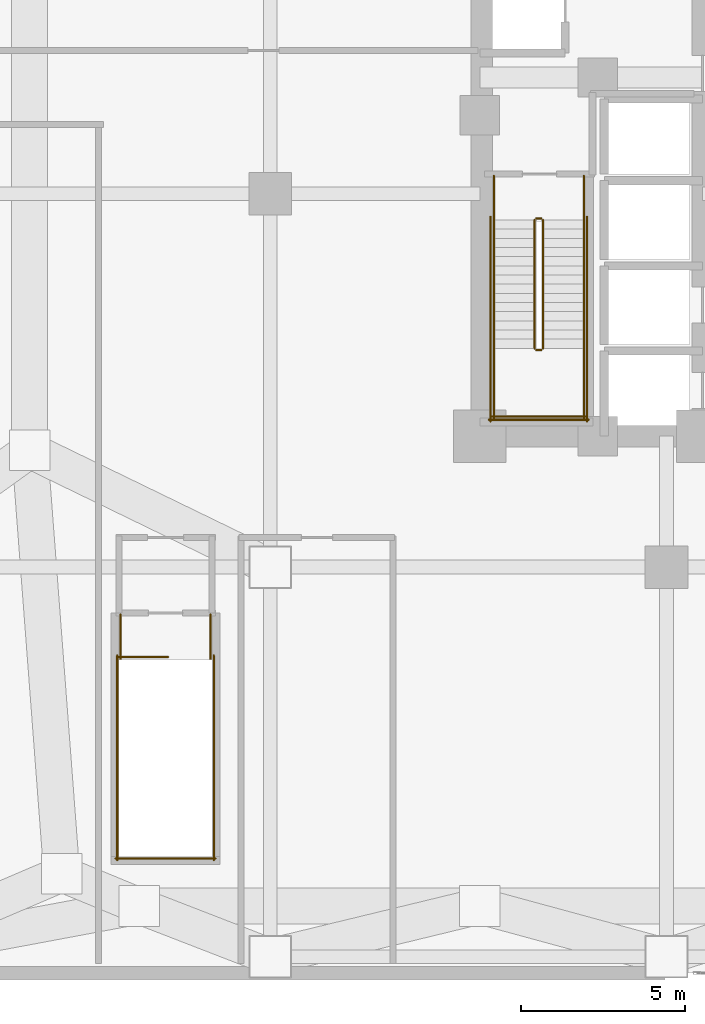
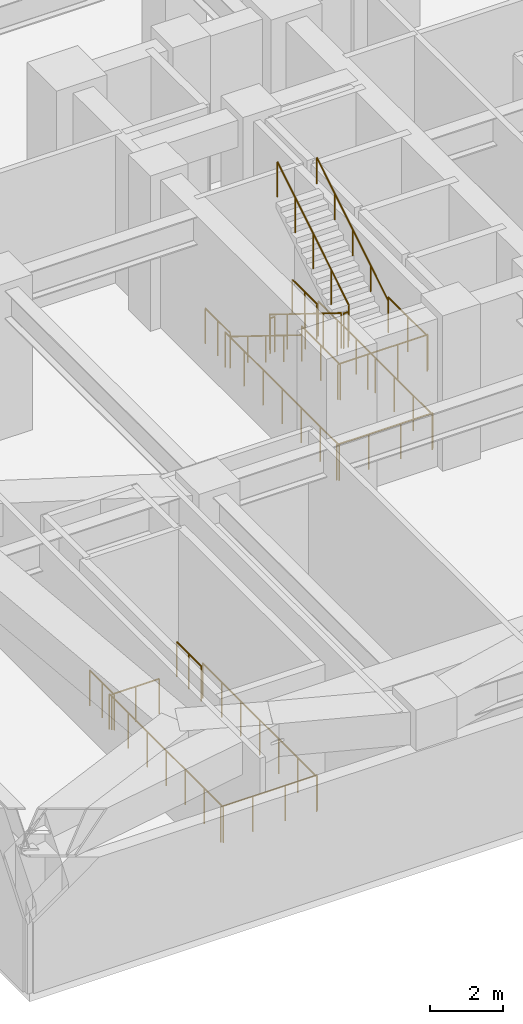
# One storey, part 19 of 20: 20 railings.
"""IFC4 building model written with IfcOpenShell, lengths in metres."""

from ifc_helpers import new_model, si_unit, direction, frame, origin, origin_2d, place, context, subcontext, project, spatial, circle, extrude, material, type_object, element, save


model = new_model("IFC4")

# Units and contexts
model_context = context("Model", 3, precision=1e-05, world=origin(), true_north=direction((0.0, 1.0)))
body_context = subcontext(model_context, "Body", "Model", "MODEL_VIEW")
ifc_project = project(units=[si_unit("LENGTHUNIT", "METRE"), si_unit("AREAUNIT", "SQUARE_METRE"), si_unit("VOLUMEUNIT", "CUBIC_METRE"), si_unit("PLANEANGLEUNIT", "RADIAN"), si_unit("MASSUNIT", "GRAM", prefix="KILO")], contexts=[model_context])

# Site, building, storey
site_placement = place(None, origin())
site = spatial("IfcSite", under=ifc_project, at=site_placement, CompositionType="ELEMENT")
building_placement = place(site_placement, origin())
building = spatial("IfcBuilding", under=site, at=building_placement, Name="Voryun Gate Residences", CompositionType="ELEMENT")
storey_placement = place(building_placement, frame((0.0, 0.0, 20.800048828125)))
storey = spatial("IfcBuildingStorey", under=building, at=storey_placement, Name="L04", CompositionType="ELEMENT", Elevation=20.800048828125)

# Railings
ifc_material_1 = material(Name="Painted steel", Category="steel")
railing_type_1 = type_object("IfcRailingType", Name="RAIL_STAIR_GUARD_1200", PredefinedType="GUARDRAIL", material=ifc_material_1)
railing_1_placement = place(storey_placement, frame((-17.52490234375, -0.800048828125, 0.17333984375)))
element("IfcRailing", 1, at=railing_1_placement, inside=storey, type_object=railing_type_1, Name="L04 ST-W1 stair guard 1", PredefinedType="GUARDRAIL", context=body_context, shape_type="SweptSolid", body=[
    extrude(circle(Radius=0.02392578125, at=origin_2d()), frame((0.0, 0.0, 1.17578125), z_axis=(0.0, -0.850275303828, 0.526338206574), x_axis=(1.0, 0.0, 0.0)), (0.0, 0.0, 1.0), 4.610107421875),
    extrude(circle(Radius=0.02099609375, at=origin_2d()), origin(), (0.0, 0.0, 1.0), 1.15185546875),
    extrude(circle(Radius=0.02099609375, at=origin_2d()), frame((0.0, -0.97998046875, 0.606689453125)), (0.0, 0.0, 1.0), 1.15185546875),
    extrude(circle(Radius=0.02099609375, at=origin_2d()), frame((0.0, -1.9599609375, 1.21337890625)), (0.0, 0.0, 1.0), 1.15185546875),
    extrude(circle(Radius=0.02099609375, at=origin_2d()), frame((0.0, -2.93994140625, 1.81982421875)), (0.0, 0.0, 1.0), 1.15185546875),
    extrude(circle(Radius=0.02099609375, at=origin_2d()), frame((0.0, -3.919921875, 2.426513671875)), (0.0, 0.0, 1.0), 1.15185546875),
])
railing_2_placement = place(storey_placement, frame((-17.47509765625, -4.77001953125, 2.599853515625)))
element("IfcRailing", 2, at=railing_2_placement, inside=storey, type_object=railing_type_1, Name="L04 ST-W1 stair guard 2", PredefinedType="GUARDRAIL", context=body_context, shape_type="SweptSolid", body=[
    extrude(circle(Radius=0.02392578125, at=origin_2d()), frame((0.0, 0.0, 1.17578125), z_axis=(1.0, 0.0, 0.0), x_axis=(0.0, 1.0, 0.0)), (0.0, 0.0, 1.0), 0.150146484375),
    extrude(circle(Radius=0.02099609375, at=origin_2d()), origin(), (0.0, 0.0, 1.0), 1.15185546875),
    extrude(circle(Radius=0.02099609375, at=origin_2d()), frame((0.150146484375, 0.0, 0.0)), (0.0, 0.0, 1.0), 1.15185546875),
])
for number, where, name in (
    (3, (-18.77490234375, -4.719970703125, 2.599853515625), "L04 ST-W1 stair guard 3"),
    (4, (-16.02490234375, -4.719970703125, 2.599853515625), "L04 ST-W1 stair guard 4"),
):
    element("IfcRailing", number, at=place(storey_placement, frame(where)), inside=storey, type_object=railing_type_1, Name=name, PredefinedType="GUARDRAIL", context=body_context, shape_type="SweptSolid", body=[
        extrude(circle(Radius=0.02392578125, at=origin_2d()), frame((0.0, 0.0, 1.17578125), z_axis=(0.0, -1.0, 0.0), x_axis=(1.0, 0.0, 0.0)), (0.0, 0.0, 1.0), 2.130126953125),
        extrude(circle(Radius=0.02099609375, at=origin_2d()), origin(), (0.0, 0.0, 1.0), 1.15185546875),
        extrude(circle(Radius=0.02099609375, at=origin_2d()), frame((0.0, -1.06494140625, 0.0)), (0.0, 0.0, 1.0), 1.15185546875),
        extrude(circle(Radius=0.02099609375, at=origin_2d()), frame((0.0, -2.130126953125, 0.0)), (0.0, 0.0, 1.0), 1.15185546875),
    ])
railing_3_placement = place(storey_placement, frame((-18.824951171875, -6.800048828125, 2.599853515625)))
element("IfcRailing", 5, at=railing_3_placement, inside=storey, type_object=railing_type_1, Name="L04 ST-W1 stair guard 5", PredefinedType="GUARDRAIL", context=body_context, shape_type="SweptSolid", body=[
    extrude(circle(Radius=0.02392578125, at=origin_2d()), frame((0.0, 0.0, 1.17578125), z_axis=(1.0, 0.0, 0.0), x_axis=(0.0, 1.0, 0.0)), (0.0, 0.0, 1.0), 2.849853515625),
    extrude(circle(Radius=0.02099609375, at=origin_2d()), origin(), (0.0, 0.0, 1.0), 1.15185546875),
    extrude(circle(Radius=0.02099609375, at=origin_2d()), frame((0.949951171875, 0.0, 0.0)), (0.0, 0.0, 1.0), 1.15185546875),
    extrude(circle(Radius=0.02099609375, at=origin_2d()), frame((1.89990234375, 0.0, 0.0)), (0.0, 0.0, 1.0), 1.15185546875),
    extrude(circle(Radius=0.02099609375, at=origin_2d()), frame((2.849853515625, 0.0, 0.0)), (0.0, 0.0, 1.0), 1.15185546875),
])
railing_4_placement = place(storey_placement, frame((-17.27490234375, -4.719970703125, 2.773193359375)))
element("IfcRailing", 6, at=railing_4_placement, inside=storey, type_object=railing_type_1, Name="L04 ST-W1 stair guard 6", PredefinedType="GUARDRAIL", context=body_context, shape_type="SweptSolid", body=[
    extrude(circle(Radius=0.02392578125, at=origin_2d()), frame((0.0, 0.0, 1.17578125), z_axis=(0.0, 0.850251603719, 0.526376491091), x_axis=(-1.0, 0.0, 0.0)), (0.0, 0.0, 1.0), 4.6103515625),
    extrude(circle(Radius=0.02099609375, at=origin_2d()), origin(), (0.0, 0.0, 1.0), 1.15185546875),
    extrude(circle(Radius=0.02099609375, at=origin_2d()), frame((0.0, 0.97998046875, 0.606689453125)), (0.0, 0.0, 1.0), 1.15185546875),
    extrude(circle(Radius=0.02099609375, at=origin_2d()), frame((0.0, 1.9599609375, 1.21337890625)), (0.0, 0.0, 1.0), 1.15185546875),
    extrude(circle(Radius=0.02099609375, at=origin_2d()), frame((0.0, 2.93994140625, 1.820068359375)), (0.0, 0.0, 1.0), 1.15185546875),
    extrude(circle(Radius=0.02099609375, at=origin_2d()), frame((0.0, 3.919921875, 2.4267578125)), (0.0, 0.0, 1.0), 1.15185546875),
])
railing_5_placement = place(storey_placement, frame((-17.47509765625, -0.75, 0.0)))
element("IfcRailing", 7, at=railing_5_placement, inside=storey, type_object=railing_type_1, Name="L04 ST-W1 stair guard 7", PredefinedType="GUARDRAIL", context=body_context, shape_type="SweptSolid", body=[
    extrude(circle(Radius=0.02392578125, at=origin_2d()), frame((0.0, 0.0, 1.17578125), z_axis=(1.0, 0.0, 0.0), x_axis=(0.0, 1.0, 0.0)), (0.0, 0.0, 1.0), 0.150146484375),
    extrude(circle(Radius=0.02099609375, at=origin_2d()), origin(), (0.0, 0.0, 1.0), 1.15185546875),
    extrude(circle(Radius=0.02099609375, at=origin_2d()), frame((0.150146484375, 0.0, 0.0)), (0.0, 0.0, 1.0), 1.15185546875),
])
for number, where, name in (
    (8, (-18.77490234375, 0.550048828125, 0.0), "L04 ST-W1 stair guard 8"),
    (9, (-16.02490234375, 0.550048828125, 0.0), "L04 ST-W1 stair guard 9"),
):
    element("IfcRailing", number, at=place(storey_placement, frame(where)), inside=storey, type_object=railing_type_1, Name=name, PredefinedType="GUARDRAIL", context=body_context, shape_type="SweptSolid", body=[
        extrude(circle(Radius=0.02392578125, at=origin_2d()), frame((0.0, 0.0, 1.17578125), z_axis=(0.0, -1.0, 0.0), x_axis=(1.0, 0.0, 0.0)), (0.0, 0.0, 1.0), 1.35009765625),
        extrude(circle(Radius=0.02099609375, at=origin_2d()), origin(), (0.0, 0.0, 1.0), 1.15185546875),
        extrude(circle(Radius=0.02099609375, at=origin_2d()), frame((0.0, -0.675048828125, 0.0)), (0.0, 0.0, 1.0), 1.15185546875),
        extrude(circle(Radius=0.02099609375, at=origin_2d()), frame((0.0, -1.35009765625, 0.0)), (0.0, 0.0, 1.0), 1.15185546875),
    ])
for number, where, name in (
    (10, (-18.875, -0.699951171875, 0.0), "L04 ST-W1 stair guard 10"),
    (11, (-15.925048828125, -0.699951171875, 0.0), "L04 ST-W1 stair guard 11"),
):
    element("IfcRailing", number, at=place(storey_placement, frame(where)), inside=storey, type_object=railing_type_1, Name=name, PredefinedType="GUARDRAIL", context=body_context, shape_type="SweptSolid", body=[
        extrude(circle(Radius=0.02392578125, at=origin_2d()), frame((0.0, 0.0, 1.17578125), z_axis=(0.0, -1.0, 0.0), x_axis=(1.0, 0.0, 0.0)), (0.0, 0.0, 1.0), 6.25),
        extrude(circle(Radius=0.02099609375, at=origin_2d()), origin(), (0.0, 0.0, 1.0), 1.15185546875),
        extrude(circle(Radius=0.02099609375, at=origin_2d()), frame((0.0, -1.041748046875, 0.0)), (0.0, 0.0, 1.0), 1.15185546875),
        extrude(circle(Radius=0.02099609375, at=origin_2d()), frame((0.0, -2.083251953125, 0.0)), (0.0, 0.0, 1.0), 1.15185546875),
        extrude(circle(Radius=0.02099609375, at=origin_2d()), frame((0.0, -3.125, 0.0)), (0.0, 0.0, 1.0), 1.15185546875),
        extrude(circle(Radius=0.02099609375, at=origin_2d()), frame((0.0, -4.166748046875, 0.0)), (0.0, 0.0, 1.0), 1.15185546875),
        extrude(circle(Radius=0.02099609375, at=origin_2d()), frame((0.0, -5.208251953125, 0.0)), (0.0, 0.0, 1.0), 1.15185546875),
        extrude(circle(Radius=0.02099609375, at=origin_2d()), frame((0.0, -6.25, 0.0)), (0.0, 0.0, 1.0), 1.15185546875),
    ])
railing_6_placement = place(storey_placement, frame((-18.925048828125, -6.89990234375, 0.0)))
element("IfcRailing", 12, at=railing_6_placement, inside=storey, type_object=railing_type_1, Name="L04 ST-W1 stair guard 12", PredefinedType="GUARDRAIL", context=body_context, shape_type="SweptSolid", body=[
    extrude(circle(Radius=0.02392578125, at=origin_2d()), frame((0.0, 0.0, 1.17578125), z_axis=(1.0, 0.0, 0.0), x_axis=(0.0, 1.0, 0.0)), (0.0, 0.0, 1.0), 3.050048828125),
    extrude(circle(Radius=0.02099609375, at=origin_2d()), origin(), (0.0, 0.0, 1.0), 1.15185546875),
    extrude(circle(Radius=0.02099609375, at=origin_2d()), frame((1.0166015625, 0.0, 0.0)), (0.0, 0.0, 1.0), 1.15185546875),
    extrude(circle(Radius=0.02099609375, at=origin_2d()), frame((2.033447265625, 0.0, 0.0)), (0.0, 0.0, 1.0), 1.15185546875),
    extrude(circle(Radius=0.02099609375, at=origin_2d()), frame((3.050048828125, 0.0, 0.0)), (0.0, 0.0, 1.0), 1.15185546875),
])
railing_7_placement = place(storey_placement, frame((-30.22509765625, -14.14990234375, 0.0)))
element("IfcRailing", 13, at=railing_7_placement, inside=storey, type_object=railing_type_1, Name="L04 ST-P1 top well guard 1", PredefinedType="GUARDRAIL", context=body_context, shape_type="SweptSolid", body=[
    extrude(circle(Radius=0.02392578125, at=origin_2d()), frame((0.0, 0.0, 1.17578125), z_axis=(1.0, 0.0, 0.0), x_axis=(0.0, 1.0, 0.0)), (0.0, 0.0, 1.0), 1.5),
    extrude(circle(Radius=0.02099609375, at=origin_2d()), origin(), (0.0, 0.0, 1.0), 1.15185546875),
    extrude(circle(Radius=0.02099609375, at=origin_2d()), frame((0.75, 0.0, 0.0)), (0.0, 0.0, 1.0), 1.15185546875),
    extrude(circle(Radius=0.02099609375, at=origin_2d()), frame((1.5, 0.0, 0.0)), (0.0, 0.0, 1.0), 1.15185546875),
])
for number, where, name in (
    (14, (-30.27490234375, -14.10009765625, 0.0), "L04 ST-P1 top well guard 2"),
    (15, (-27.324951171875, -14.10009765625, 0.0), "L04 ST-P1 top well guard 3"),
):
    element("IfcRailing", number, at=place(storey_placement, frame(where)), inside=storey, type_object=railing_type_1, Name=name, PredefinedType="GUARDRAIL", context=body_context, shape_type="SweptSolid", body=[
        extrude(circle(Radius=0.02392578125, at=origin_2d()), frame((0.0, 0.0, 1.17578125), z_axis=(0.0, -1.0, 0.0), x_axis=(1.0, 0.0, 0.0)), (0.0, 0.0, 1.0), 6.25),
        extrude(circle(Radius=0.02099609375, at=origin_2d()), origin(), (0.0, 0.0, 1.0), 1.15185546875),
        extrude(circle(Radius=0.02099609375, at=origin_2d()), frame((0.0, -1.041748046875, 0.0)), (0.0, 0.0, 1.0), 1.15185546875),
        extrude(circle(Radius=0.02099609375, at=origin_2d()), frame((0.0, -2.083251953125, 0.0)), (0.0, 0.0, 1.0), 1.15185546875),
        extrude(circle(Radius=0.02099609375, at=origin_2d()), frame((0.0, -3.125, 0.0)), (0.0, 0.0, 1.0), 1.15185546875),
        extrude(circle(Radius=0.02099609375, at=origin_2d()), frame((0.0, -4.166748046875, 0.0)), (0.0, 0.0, 1.0), 1.15185546875),
        extrude(circle(Radius=0.02099609375, at=origin_2d()), frame((0.0, -5.208251953125, 0.0)), (0.0, 0.0, 1.0), 1.15185546875),
        extrude(circle(Radius=0.02099609375, at=origin_2d()), frame((0.0, -6.25, 0.0)), (0.0, 0.0, 1.0), 1.15185546875),
    ])
railing_8_placement = place(storey_placement, frame((-30.324951171875, -20.300048828125, 0.0)))
element("IfcRailing", 16, at=railing_8_placement, inside=storey, type_object=railing_type_1, Name="L04 ST-P1 top well guard 4", PredefinedType="GUARDRAIL", context=body_context, shape_type="SweptSolid", body=[
    extrude(circle(Radius=0.02392578125, at=origin_2d()), frame((0.0, 0.0, 1.17578125), z_axis=(1.0, 0.0, 0.0), x_axis=(0.0, 1.0, 0.0)), (0.0, 0.0, 1.0), 3.050048828125),
    extrude(circle(Radius=0.02099609375, at=origin_2d()), origin(), (0.0, 0.0, 1.0), 1.15185546875),
    extrude(circle(Radius=0.02099609375, at=origin_2d()), frame((1.0166015625, 0.0, 0.0)), (0.0, 0.0, 1.0), 1.15185546875),
    extrude(circle(Radius=0.02099609375, at=origin_2d()), frame((2.033447265625, 0.0, 0.0)), (0.0, 0.0, 1.0), 1.15185546875),
    extrude(circle(Radius=0.02099609375, at=origin_2d()), frame((3.050048828125, 0.0, 0.0)), (0.0, 0.0, 1.0), 1.15185546875),
])
for number, where, name in (
    (17, (-30.175048828125, -12.85009765625, 0.0), "L04 ST-P1 top well guard 5"),
    (18, (-27.425048828125, -12.85009765625, 0.0), "L04 ST-P1 top well guard 6"),
):
    element("IfcRailing", number, at=place(storey_placement, frame(where)), inside=storey, type_object=railing_type_1, Name=name, PredefinedType="GUARDRAIL", context=body_context, shape_type="SweptSolid", body=[
        extrude(circle(Radius=0.02392578125, at=origin_2d()), frame((0.0, 0.0, 1.17578125), z_axis=(0.0, -1.0, 0.0), x_axis=(1.0, 0.0, 0.0)), (0.0, 0.0, 1.0), 1.349853515625),
        extrude(circle(Radius=0.02099609375, at=origin_2d()), origin(), (0.0, 0.0, 1.0), 1.15185546875),
        extrude(circle(Radius=0.02099609375, at=origin_2d()), frame((0.0, -0.6748046875, 0.0)), (0.0, 0.0, 1.0), 1.15185546875),
        extrude(circle(Radius=0.02099609375, at=origin_2d()), frame((0.0, -1.349853515625, 0.0)), (0.0, 0.0, 1.0), 1.15185546875),
    ])
ifc_material_2 = material(Name="Painted steel", Category="steel")
railing_type_2 = type_object("IfcRailingType", Name="RAIL_STAIR_HANDRAIL_900", PredefinedType="HANDRAIL", material=ifc_material_2)
railing_9_placement = place(storey_placement, frame((-18.77490234375, -0.800048828125, 0.17333984375)))
element("IfcRailing", 19, at=railing_9_placement, inside=storey, type_object=railing_type_2, Name="L04 ST-W1 stair handrail 1", PredefinedType="HANDRAIL", context=body_context, shape_type="SweptSolid", body=[
    extrude(circle(Radius=0.02392578125, at=origin_2d()), frame((0.0, 0.0, 0.8759765625), z_axis=(0.0, -0.850275303828, 0.526338206574), x_axis=(1.0, 0.0, 0.0)), (0.0, 0.0, 1.0), 4.610107421875),
    extrude(circle(Radius=0.02099609375, at=origin_2d()), origin(), (0.0, 0.0, 1.0), 0.851806640625),
    extrude(circle(Radius=0.02099609375, at=origin_2d()), frame((0.0, -0.97998046875, 0.606689453125)), (0.0, 0.0, 1.0), 0.851806640625),
    extrude(circle(Radius=0.02099609375, at=origin_2d()), frame((0.0, -1.9599609375, 1.21337890625)), (0.0, 0.0, 1.0), 0.851806640625),
    extrude(circle(Radius=0.02099609375, at=origin_2d()), frame((0.0, -2.93994140625, 1.81982421875)), (0.0, 0.0, 1.0), 0.851806640625),
    extrude(circle(Radius=0.02099609375, at=origin_2d()), frame((0.0, -3.919921875, 2.426513671875)), (0.0, 0.0, 1.0), 0.851806640625),
])
railing_10_placement = place(storey_placement, frame((-16.02490234375, -4.719970703125, 2.773193359375)))
element("IfcRailing", 20, at=railing_10_placement, inside=storey, type_object=railing_type_2, Name="L04 ST-W1 stair handrail 2", PredefinedType="HANDRAIL", context=body_context, shape_type="SweptSolid", body=[
    extrude(circle(Radius=0.02392578125, at=origin_2d()), frame((0.0, 0.0, 0.8759765625), z_axis=(0.0, 0.850251603719, 0.526376491091), x_axis=(-1.0, 0.0, 0.0)), (0.0, 0.0, 1.0), 4.6103515625),
    extrude(circle(Radius=0.02099609375, at=origin_2d()), origin(), (0.0, 0.0, 1.0), 0.851806640625),
    extrude(circle(Radius=0.02099609375, at=origin_2d()), frame((0.0, 0.97998046875, 0.606689453125)), (0.0, 0.0, 1.0), 0.851806640625),
    extrude(circle(Radius=0.02099609375, at=origin_2d()), frame((0.0, 1.9599609375, 1.21337890625)), (0.0, 0.0, 1.0), 0.851806640625),
    extrude(circle(Radius=0.02099609375, at=origin_2d()), frame((0.0, 2.93994140625, 1.820068359375)), (0.0, 0.0, 1.0), 0.851806640625),
    extrude(circle(Radius=0.02099609375, at=origin_2d()), frame((0.0, 3.919921875, 2.4267578125)), (0.0, 0.0, 1.0), 0.851806640625),
])

save(model, "model.ifc")
